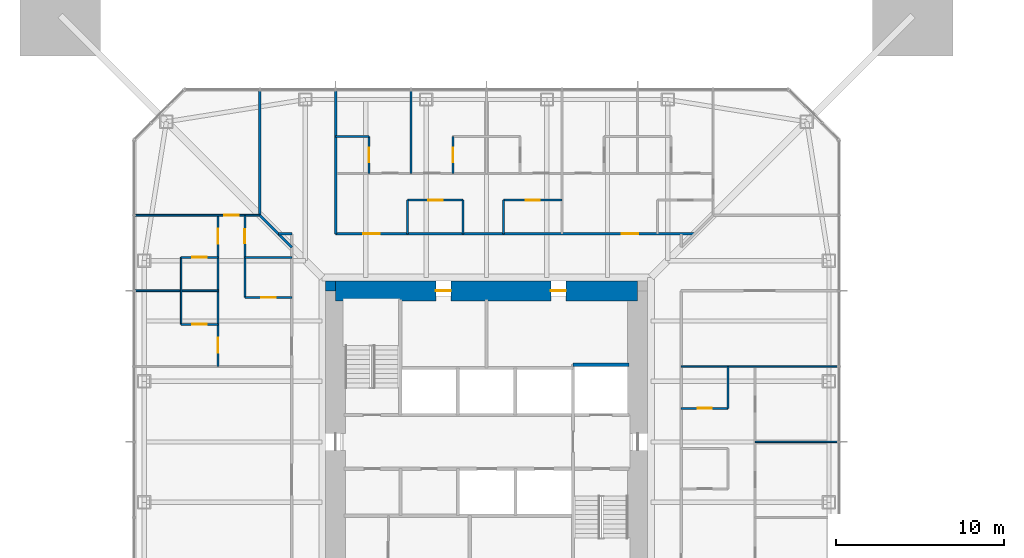
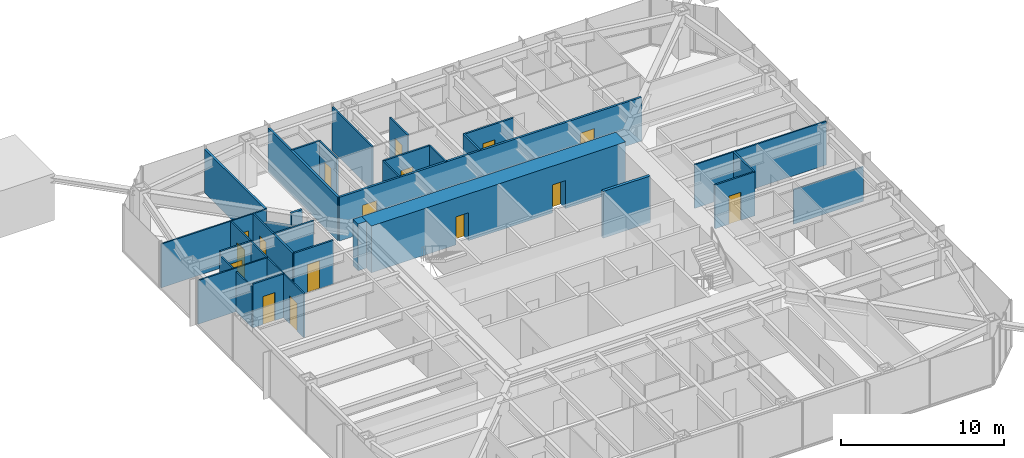
# One storey, part 15 of 25: 30 walls, 16 doors, 16 openings.
"""IFC4 building model written with IfcOpenShell, lengths in metres."""

from ifc_helpers import new_model, si_unit, direction, frame, frame_2d, origin, place, context, subcontext, project, spatial, rectangle, extrude, material, layer, layer_set, type_object, element, fill, save


model = new_model("IFC4")

# Units and contexts
model_context = context("Model", 3, precision=1e-05, world=origin(), true_north=direction((0.0, 1.0)))
body_context = subcontext(model_context, "Body", "Model", "MODEL_VIEW")
ifc_project = project(units=[si_unit("LENGTHUNIT", "METRE"), si_unit("AREAUNIT", "SQUARE_METRE"), si_unit("VOLUMEUNIT", "CUBIC_METRE"), si_unit("PLANEANGLEUNIT", "RADIAN"), si_unit("MASSUNIT", "GRAM", prefix="KILO")], contexts=[model_context])

# Site, building, storey
site_placement = place(None, origin())
site = spatial("IfcSite", under=ifc_project, at=site_placement, CompositionType="ELEMENT")
building_placement = place(site_placement, origin())
building = spatial("IfcBuilding", under=site, at=building_placement, Name="Iwan Alto Co-Living Towers", CompositionType="ELEMENT")
storey_placement = place(building_placement, frame((0.0, 0.0, 119.0)))
storey = spatial("IfcBuildingStorey", under=building, at=storey_placement, Name="L32", CompositionType="ELEMENT", Elevation=119.0)

# Wall
ifc_material_1 = material(Name="Gypsum board")
ifc_layer_1 = layer(ifc_material_1, 0.02490234375, Name="Board", Category="Finish")
ifc_material_2 = material(Name="Steel ASTM A1003 ST33H cold-formed studs", Category="steel")
ifc_layer_2 = layer(ifc_material_2, 0.10009765625, Name="Studs", Category="Framing")
ifc_layer_3 = layer(ifc_material_1, 0.02490234375, Name="Board", Category="Finish")
ifc_layer_set_1 = layer_set([ifc_layer_1, ifc_layer_2, ifc_layer_3], Name="CORRIDOR WALL 150")
wall_type_1 = type_object("IfcWallType", Name="CORRIDOR WALL 150", PredefinedType="PARTITIONING", material=ifc_layer_set_1)
wall_1_placement = place(storey_placement, frame((-12.39990234375, 12.39990234375, 0.0), z_axis=(0.0, 0.0, 1.0), x_axis=(1.0, 0.0, 0.0)))
element("IfcWall", 1, at=wall_1_placement, inside=storey, type_object=wall_type_1, Name="Partition L32", PredefinedType="PARTITIONING", context=body_context, shape_type="SweptSolid", body=[
    extrude(rectangle(XDim=0.7998046875, YDim=0.14990234375, at=frame_2d((0.39990234375, 0.0))), origin(), (0.0, 0.0, 1.0), 3.27001953125),
])

# Wall, openings, doors
wall_2_placement = place(storey_placement, frame((-9.0, 12.39990234375, 0.0), z_axis=(0.0, 0.0, 1.0), x_axis=(1.0, 0.0, 0.0)))
wall_2 = element("IfcWall", 2, at=wall_2_placement, inside=storey, type_object=wall_type_1, Name="Partition L32", PredefinedType="PARTITIONING", context=body_context, shape_type="SweptSolid", body=[
    extrude(rectangle(XDim=21.39990234375, YDim=0.14990234375, at=frame_2d((10.699951171875, 0.0))), origin(), (0.0, 0.0, 1.0), 3.27001953125),
])
opening_1_placement = place(wall_2_placement, frame((17.050048828125, 0.0, 0.0)))
opening_1 = element("IfcOpeningElement", 3, at=opening_1_placement, cuts=wall_2, Name="Opening D3", PredefinedType="OPENING", context=body_context, shape_type="SweptSolid", body=[
    extrude(rectangle(XDim=1.0, YDim=2.10009765625, at=frame_2d((0.5, 1.050048828125))), frame((0.0, 0.0849609375, 0.0), z_axis=(0.0, -1.0, 0.0), x_axis=(1.0, 0.0, 0.0)), (0.0, 0.0, 1.0), 0.169921875),
])
opening_2_placement = place(wall_2_placement, frame((1.64990234375, 0.0, 0.0)))
opening_2 = element("IfcOpeningElement", 4, at=opening_2_placement, cuts=wall_2, Name="Opening D3", PredefinedType="OPENING", context=body_context, shape_type="SweptSolid", body=[
    extrude(rectangle(XDim=1.0, YDim=2.10009765625, at=frame_2d((0.5, 1.050048828125))), frame((0.0, 0.0849609375, 0.0), z_axis=(0.0, -1.0, 0.0), x_axis=(1.0, 0.0, 0.0)), (0.0, 0.0, 1.0), 0.169921875),
])
ifc_material_3 = material(Name="Steel frame with timber leaf", Category="steel")
door_type_1 = type_object("IfcDoorType", Name="FLAT ENTRANCE DOOR FD30S 1000X2100", OperationType="SINGLE_SWING_LEFT", PredefinedType="DOOR", material=ifc_material_3)
door_1_placement = place(opening_1_placement, origin())
door_1 = element("IfcDoor", 5, at=door_1_placement, inside=storey, type_object=door_type_1, Name="Cluster lounge door L32", OperationType="SINGLE_SWING_RIGHT", OverallHeight=2.10009765625, OverallWidth=1.0, PredefinedType="DOOR", context=body_context, shape_type="SweptSolid", body=[
    extrude(rectangle(XDim=1.0, YDim=2.10009765625, at=frame_2d((0.5, 1.050048828125))), frame((0.0, 0.02490234375, 0.0), z_axis=(0.0, -1.0, 0.0), x_axis=(1.0, 0.0, 0.0)), (0.0, 0.0, 1.0), 0.050048828125),
])
fill(opening_1, door_1)
door_2_placement = place(opening_2_placement, origin())
door_2 = element("IfcDoor", 6, at=door_2_placement, inside=storey, type_object=door_type_1, Name="Cluster lounge and shared kitchen door L32", OperationType="SINGLE_SWING_LEFT", OverallHeight=2.10009765625, OverallWidth=1.0, PredefinedType="DOOR", context=body_context, shape_type="SweptSolid", body=[
    extrude(rectangle(XDim=1.0, YDim=2.10009765625, at=frame_2d((0.5, 1.050048828125))), frame((0.0, 0.02490234375, 0.0), z_axis=(0.0, -1.0, 0.0), x_axis=(1.0, 0.0, 0.0)), (0.0, 0.0, 1.0), 0.050048828125),
])
fill(opening_2, door_2)

# Walls
wall_3_placement = place(storey_placement, frame((-9.0, 12.39990234375, 0.0), z_axis=(0.0, 0.0, 1.0), x_axis=(0.0, 1.0, 0.0)))
element("IfcWall", 7, at=wall_3_placement, inside=storey, type_object=wall_type_1, Name="Partition L32", PredefinedType="PARTITIONING", context=body_context, shape_type="SweptSolid", body=[
    extrude(rectangle(XDim=8.5400390625, YDim=0.14990234375, at=frame_2d((4.27001953125, 0.0))), origin(), (0.0, 0.0, 1.0), 3.27001953125),
])
wall_4_placement = place(storey_placement, frame((-13.5, 13.5, 0.0), z_axis=(0.0, 0.0, 1.0), x_axis=(0.0, 1.0, 0.0)))
element("IfcWall", 8, at=wall_4_placement, inside=storey, type_object=wall_type_1, Name="Partition L32", PredefinedType="PARTITIONING", context=body_context, shape_type="SweptSolid", body=[
    extrude(rectangle(XDim=7.43994140625, YDim=0.14990234375, at=frame_2d((3.719970703125, 0.0))), origin(), (0.0, 0.0, 1.0), 3.27001953125),
])
wall_5_placement = place(storey_placement, frame((-11.60009765625, 11.60009765625, 0.0), z_axis=(0.0, 0.0, 1.0), x_axis=(-0.707106781187, 0.707106781187, 0.0)))
element("IfcWall", 9, at=wall_5_placement, inside=storey, type_object=wall_type_1, Name="Partition L32", PredefinedType="PARTITIONING", context=body_context, shape_type="SweptSolid", body=[
    extrude(rectangle(XDim=2.686767578125, YDim=0.14990234375, at=frame_2d((1.34326171875, 0.0))), origin(), (0.0, 0.0, 1.0), 2.343017578125),
])
ifc_layer_4 = layer(ifc_material_1, 0.012451171875, Name="Board", Category="Finish")
ifc_layer_5 = layer(ifc_material_2, 0.074951171875, Name="Studs", Category="Framing")
ifc_layer_6 = layer(ifc_material_1, 0.012451171875, Name="Board", Category="Finish")
ifc_layer_set_2 = layer_set([ifc_layer_4, ifc_layer_5, ifc_layer_6], Name="PARTITION 100")
wall_type_2 = type_object("IfcWallType", Name="PARTITION 100", PredefinedType="PARTITIONING", material=ifc_layer_set_2)
wall_6_placement = place(storey_placement, frame((16.0, 0.0, 0.0), z_axis=(0.0, 0.0, 1.0), x_axis=(1.0, 0.0, 0.0)))
element("IfcWall", 10, at=wall_6_placement, inside=storey, type_object=wall_type_2, Name="Partition L32", PredefinedType="PARTITIONING", context=body_context, shape_type="SweptSolid", body=[
    extrude(rectangle(XDim=4.93994140625, YDim=0.10009765625, at=frame_2d((2.469970703125, 0.0))), origin(), (0.0, 0.0, 1.0), 2.586669921875),
])
wall_7_placement = place(storey_placement, frame((11.60009765625, 4.5, 0.0), z_axis=(0.0, 0.0, 1.0), x_axis=(1.0, 0.0, 0.0)))
element("IfcWall", 11, at=wall_7_placement, inside=storey, type_object=wall_type_2, Name="Partition L32", PredefinedType="PARTITIONING", context=body_context, shape_type="SweptSolid", body=[
    extrude(rectangle(XDim=9.33984375, YDim=0.10009765625, at=frame_2d((4.669921875, 0.0))), origin(), (0.0, 0.0, 1.0), 3.27001953125),
])
wall_8_placement = place(storey_placement, frame((-20.93994140625, 9.0, 0.0), z_axis=(0.0, 0.0, 1.0), x_axis=(1.0, 0.0, 0.0)))
element("IfcWall", 12, at=wall_8_placement, inside=storey, type_object=wall_type_2, Name="Partition L32", PredefinedType="PARTITIONING", context=body_context, shape_type="SweptSolid", body=[
    extrude(rectangle(XDim=4.93994140625, YDim=0.10009765625, at=frame_2d((2.469970703125, 0.0))), origin(), (0.0, 0.0, 1.0), 3.27001953125),
])

# Wall, opening, door
wall_9_placement = place(storey_placement, frame((-20.93994140625, 13.5, 0.0), z_axis=(0.0, 0.0, 1.0), x_axis=(1.0, 0.0, 0.0)))
wall_9 = element("IfcWall", 13, at=wall_9_placement, inside=storey, type_object=wall_type_2, Name="Partition L32", PredefinedType="PARTITIONING", context=body_context, shape_type="SweptSolid", body=[
    extrude(rectangle(XDim=7.43994140625, YDim=0.10009765625, at=frame_2d((3.719970703125, 0.0))), origin(), (0.0, 0.0, 1.0), 3.27001953125),
])
opening_3_placement = place(wall_9_placement, frame((5.31494140625, 0.0, 0.0)))
opening_3 = element("IfcOpeningElement", 14, at=opening_3_placement, cuts=wall_9, Name="Opening D2", PredefinedType="OPENING", context=body_context, shape_type="SweptSolid", body=[
    extrude(rectangle(XDim=0.85009765625, YDim=2.10009765625, at=frame_2d((0.425048828125, 1.050048828125))), frame((0.0, 0.06005859375, 0.0), z_axis=(0.0, -1.0, 0.0), x_axis=(1.0, 0.0, 0.0)), (0.0, 0.0, 1.0), 0.1201171875),
])
ifc_material_4 = material(Name="Timber leaf in steel frame", Category="steel")
door_type_2 = type_object("IfcDoorType", Name="ROOM DOOR 850X2100", OperationType="SINGLE_SWING_LEFT", PredefinedType="DOOR", material=ifc_material_4)
door_3_placement = place(opening_3_placement, origin())
door_3 = element("IfcDoor", 15, at=door_3_placement, inside=storey, type_object=door_type_2, Name="Shared kitchen and lounge door L32", OperationType="SINGLE_SWING_RIGHT", OverallHeight=2.10009765625, OverallWidth=0.85009765625, PredefinedType="DOOR", context=body_context, shape_type="SweptSolid", body=[
    extrude(rectangle(XDim=0.85009765625, YDim=2.10009765625, at=frame_2d((0.425048828125, 1.050048828125))), frame((0.0, 0.02490234375, 0.0), z_axis=(0.0, -1.0, 0.0), x_axis=(1.0, 0.0, 0.0)), (0.0, 0.0, 1.0), 0.050048828125),
])
fill(opening_3, door_3)

# Wall
wall_10_placement = place(storey_placement, frame((-4.5, 16.0, 0.0), z_axis=(0.0, 0.0, 1.0), x_axis=(0.0, 1.0, 0.0)))
element("IfcWall", 16, at=wall_10_placement, inside=storey, type_object=wall_type_2, Name="Partition L32", PredefinedType="PARTITIONING", context=body_context, shape_type="SweptSolid", body=[
    extrude(rectangle(XDim=4.93994140625, YDim=0.10009765625, at=frame_2d((2.469970703125, 0.0))), origin(), (0.0, 0.0, 1.0), 3.27001953125),
])

# Wall, openings, doors
wall_11_placement = place(storey_placement, frame((-16.0, 4.5, 0.0), z_axis=(0.0, 0.0, 1.0), x_axis=(0.0, 1.0, 0.0)))
wall_11 = element("IfcWall", 17, at=wall_11_placement, inside=storey, type_object=wall_type_2, Name="Partition L32", PredefinedType="PARTITIONING", context=body_context, shape_type="SweptSolid", body=[
    extrude(rectangle(XDim=9.0, YDim=0.10009765625, at=frame_2d((4.5, 0.0))), origin(), (0.0, 0.0, 1.0), 3.27001953125),
])
opening_4_placement = place(wall_11_placement, frame((7.300048828125, 0.0, 0.0)))
opening_4 = element("IfcOpeningElement", 18, at=opening_4_placement, cuts=wall_11, Name="Opening D1", PredefinedType="OPENING", context=body_context, shape_type="SweptSolid", body=[
    extrude(rectangle(XDim=0.89990234375, YDim=2.10009765625, at=frame_2d((0.449951171875, 1.050048828125))), frame((0.0, 0.06005859375, 0.0), z_axis=(0.0, -1.0, 0.0), x_axis=(1.0, 0.0, 0.0)), (0.0, 0.0, 1.0), 0.1201171875),
])
opening_5_placement = place(wall_11_placement, frame((0.800048828125, 0.0, 0.0)))
opening_5 = element("IfcOpeningElement", 19, at=opening_5_placement, cuts=wall_11, Name="Opening D1", PredefinedType="OPENING", context=body_context, shape_type="SweptSolid", body=[
    extrude(rectangle(XDim=0.89990234375, YDim=2.10009765625, at=frame_2d((0.449951171875, 1.050048828125))), frame((0.0, 0.06005859375, 0.0), z_axis=(0.0, -1.0, 0.0), x_axis=(1.0, 0.0, 0.0)), (0.0, 0.0, 1.0), 0.1201171875),
])
ifc_material_5 = material(Name="Timber leaf in steel frame", Category="steel")
door_type_3 = type_object("IfcDoorType", Name="BEDROOM DOOR 900X2100", OperationType="SINGLE_SWING_LEFT", PredefinedType="DOOR", material=ifc_material_5)
door_4_placement = place(opening_4_placement, frame((0.89990234375, 0.0, 0.0), z_axis=(0.0, 0.0, 1.0), x_axis=(-1.0, 0.0, 0.0)))
door_4 = element("IfcDoor", 20, at=door_4_placement, inside=storey, type_object=door_type_3, Name="Study bedroom door L32", OperationType="SINGLE_SWING_LEFT", OverallHeight=2.10009765625, OverallWidth=0.89990234375, PredefinedType="DOOR", context=body_context, shape_type="SweptSolid", body=[
    extrude(rectangle(XDim=0.89990234375, YDim=2.10009765625, at=frame_2d((0.449951171875, 1.050048828125))), frame((0.0, 0.02490234375, 0.0), z_axis=(0.0, -1.0, 0.0), x_axis=(1.0, 0.0, 0.0)), (0.0, 0.0, 1.0), 0.050048828125),
])
fill(opening_4, door_4)
door_5_placement = place(opening_5_placement, frame((0.89990234375, 0.0, 0.0), z_axis=(0.0, 0.0, 1.0), x_axis=(-1.0, 0.0, 0.0)))
door_5 = element("IfcDoor", 21, at=door_5_placement, inside=storey, type_object=door_type_3, Name="Study bedroom door L32", OperationType="SINGLE_SWING_RIGHT", OverallHeight=2.10009765625, OverallWidth=0.89990234375, PredefinedType="DOOR", context=body_context, shape_type="SweptSolid", body=[
    extrude(rectangle(XDim=0.89990234375, YDim=2.10009765625, at=frame_2d((0.449951171875, 1.050048828125))), frame((0.0, 0.02490234375, 0.0), z_axis=(0.0, -1.0, 0.0), x_axis=(1.0, 0.0, 0.0)), (0.0, 0.0, 1.0), 0.050048828125),
])
fill(opening_5, door_5)

# Walls
wall_12_placement = place(storey_placement, frame((-18.199951171875, 7.0, 0.0), z_axis=(0.0, 0.0, 1.0), x_axis=(0.0, 1.0, 0.0)))
element("IfcWall", 22, at=wall_12_placement, inside=storey, type_object=wall_type_2, Name="Partition L32", PredefinedType="PARTITIONING", context=body_context, shape_type="SweptSolid", body=[
    extrude(rectangle(XDim=4.0, YDim=0.10009765625, at=frame_2d((2.0, 0.0))), origin(), (0.0, 0.0, 1.0), 3.0),
])
ifc_material_6 = material(Name="Concrete f'c 70 MPa", Category="concrete")
ifc_layer_7 = layer(ifc_material_6, 0.199951171875)
ifc_layer_set_3 = layer_set([ifc_layer_7], Name="SHAFT WALL 200")
wall_type_3 = type_object("IfcWallType", Name="SHAFT WALL 200", PredefinedType="SOLIDWALL", material=ifc_layer_set_3)
wall_13_placement = place(storey_placement, frame((5.14990234375, 4.60009765625, 0.0), z_axis=(0.0, 0.0, 1.0), x_axis=(1.0, 0.0, 0.0)))
element("IfcWall", 23, at=wall_13_placement, inside=storey, type_object=wall_type_3, Name="Shaft wall L32", PredefinedType="SOLIDWALL", context=body_context, shape_type="SweptSolid", body=[
    extrude(rectangle(XDim=3.340087890625, YDim=0.199951171875, at=frame_2d((1.669921875, 0.0))), origin(), (0.0, 0.0, 1.0), 3.5),
])
ifc_material_7 = material(Name="Concrete f'c 70 MPa", Category="concrete")
ifc_layer_8 = layer(ifc_material_7, 0.60009765625)
ifc_layer_set_4 = layer_set([ifc_layer_8], Name="T1 CORE CORNER FILL 600")
wall_type_4 = type_object("IfcWallType", Name="T1 CORE CORNER FILL 600", PredefinedType="SOLIDWALL", material=ifc_layer_set_4)
wall_14_placement = place(storey_placement, frame((-9.60009765625, 9.300048828125, 0.0), z_axis=(0.0, 0.0, 1.0), x_axis=(1.0, 0.0, 0.0)))
element("IfcWall", 24, at=wall_14_placement, inside=storey, type_object=wall_type_4, Name="T1 core corner NW L32", PredefinedType="SOLIDWALL", context=body_context, shape_type="SweptSolid", body=[
    extrude(rectangle(XDim=0.60009765625, YDim=0.60009765625, at=frame_2d((0.300048828125, 0.0))), origin(), (0.0, 0.0, 1.0), 3.5),
])

# Wall, openings, doors
ifc_material_8 = material(Name="Concrete f'c 70 MPa", Category="concrete")
ifc_layer_9 = layer(ifc_material_8, 1.199951171875)
ifc_layer_set_5 = layer_set([ifc_layer_9], Name="T1 CORE WALL 1200")
wall_type_5 = type_object("IfcWallType", Name="T1 CORE WALL 1200", PredefinedType="SHEAR", material=ifc_layer_set_5)
wall_15_placement = place(storey_placement, frame((9.0, 9.0, 0.0), z_axis=(0.0, 0.0, 1.0), x_axis=(-1.0, 0.0, 0.0)))
wall_15 = element("IfcWall", 25, at=wall_15_placement, inside=storey, type_object=wall_type_5, Name="T1 core wall N L32", PredefinedType="SHEAR", context=body_context, shape_type="SweptSolid", body=[
    extrude(rectangle(XDim=18.0, YDim=1.199951171875, at=frame_2d((9.0, 0.0))), origin(), (0.0, 0.0, 1.0), 3.5),
])
opening_6_placement = place(wall_15_placement, frame((11.125, 0.0, 0.0)))
opening_6 = element("IfcOpeningElement", 26, at=opening_6_placement, cuts=wall_15, Name="Opening D8", PredefinedType="OPENING", context=body_context, shape_type="SweptSolid", body=[
    extrude(rectangle(XDim=0.89990234375, YDim=2.10009765625, at=frame_2d((0.449951171875, 1.050048828125))), frame((0.0, 0.60986328125, 0.0), z_axis=(0.0, -1.0, 0.0), x_axis=(1.0, 0.0, 0.0)), (0.0, 0.0, 1.0), 1.219970703125),
])
opening_7_placement = place(wall_15_placement, frame((4.27490234375, 0.0, 0.0)))
opening_7 = element("IfcOpeningElement", 27, at=opening_7_placement, cuts=wall_15, Name="Opening D8", PredefinedType="OPENING", context=body_context, shape_type="SweptSolid", body=[
    extrude(rectangle(XDim=0.89990234375, YDim=2.10009765625, at=frame_2d((0.449951171875, 1.050048828125))), frame((0.0, 0.60986328125, 0.0), z_axis=(0.0, -1.0, 0.0), x_axis=(1.0, 0.0, 0.0)), (0.0, 0.0, 1.0), 1.219970703125),
])
ifc_material_9 = material(Name="Steel frame with timber leaf", Category="steel")
door_type_4 = type_object("IfcDoorType", Name="RISER DOOR FD120 900X2100", OperationType="SINGLE_SWING_LEFT", PredefinedType="DOOR", material=ifc_material_9)
door_6_placement = place(opening_6_placement, origin())
door_6 = element("IfcDoor", 28, at=door_6_placement, inside=storey, type_object=door_type_4, Name="Electrical riser core door L32", OperationType="SINGLE_SWING_RIGHT", OverallHeight=2.10009765625, OverallWidth=0.89990234375, PredefinedType="DOOR", context=body_context, shape_type="SweptSolid", body=[
    extrude(rectangle(XDim=0.89990234375, YDim=2.10009765625, at=frame_2d((0.449951171875, 1.050048828125))), frame((0.0, 0.02490234375, 0.0), z_axis=(0.0, -1.0, 0.0), x_axis=(1.0, 0.0, 0.0)), (0.0, 0.0, 1.0), 0.050048828125),
])
fill(opening_6, door_6)
door_7_placement = place(opening_7_placement, origin())
door_7 = element("IfcDoor", 29, at=door_7_placement, inside=storey, type_object=door_type_4, Name="Water and drainage riser core door L32", OperationType="SINGLE_SWING_RIGHT", OverallHeight=2.10009765625, OverallWidth=0.89990234375, PredefinedType="DOOR", context=body_context, shape_type="SweptSolid", body=[
    extrude(rectangle(XDim=0.89990234375, YDim=2.10009765625, at=frame_2d((0.449951171875, 1.050048828125))), frame((0.0, 0.02490234375, 0.0), z_axis=(0.0, -1.0, 0.0), x_axis=(1.0, 0.0, 0.0)), (0.0, 0.0, 1.0), 0.050048828125),
])
fill(opening_7, door_7)

# Wall, opening, door
ifc_material_10 = material(Name="Cement board")
ifc_layer_10 = layer(ifc_material_10, 0.012451171875, Name="Board", Category="Finish")
ifc_layer_11 = layer(ifc_material_2, 0.094970703125, Name="Studs", Category="Framing")
ifc_layer_12 = layer(ifc_material_10, 0.012451171875, Name="Board", Category="Finish")
ifc_layer_set_6 = layer_set([ifc_layer_10, ifc_layer_11, ifc_layer_12], Name="WET AREA PARTITION 120")
wall_type_6 = type_object("IfcWallType", Name="WET AREA PARTITION 120", PredefinedType="PARTITIONING", material=ifc_layer_set_6)
wall_16_placement = place(storey_placement, frame((11.60009765625, 2.0, 0.0), z_axis=(0.0, 0.0, 1.0), x_axis=(1.0, 0.0, 0.0)))
wall_16 = element("IfcWall", 30, at=wall_16_placement, inside=storey, type_object=wall_type_6, Name="Partition L32", PredefinedType="PARTITIONING", context=body_context, shape_type="SweptSolid", body=[
    extrude(rectangle(XDim=2.7998046875, YDim=0.1201171875, at=frame_2d((1.39990234375, 0.0))), origin(), (0.0, 0.0, 1.0), 3.27001953125),
])
opening_8_placement = place(wall_16_placement, frame((0.97509765625, 0.0, 0.0)))
opening_8 = element("IfcOpeningElement", 31, at=opening_8_placement, cuts=wall_16, Name="Opening D2", PredefinedType="OPENING", context=body_context, shape_type="SweptSolid", body=[
    extrude(rectangle(XDim=0.85009765625, YDim=2.10009765625, at=frame_2d((0.425048828125, 1.050048828125))), frame((0.0, 0.070068359375, 0.0), z_axis=(0.0, -1.0, 0.0), x_axis=(1.0, 0.0, 0.0)), (0.0, 0.0, 1.0), 0.14013671875),
])
door_8_placement = place(opening_8_placement, frame((0.85009765625, 0.0, 0.0), z_axis=(0.0, 0.0, 1.0), x_axis=(-1.0, 0.0, 0.0)))
door_8 = element("IfcDoor", 32, at=door_8_placement, inside=storey, type_object=door_type_2, Name="Laundry door L32", OperationType="SINGLE_SWING_RIGHT", OverallHeight=2.10009765625, OverallWidth=0.85009765625, PredefinedType="DOOR", context=body_context, shape_type="SweptSolid", body=[
    extrude(rectangle(XDim=0.85009765625, YDim=2.10009765625, at=frame_2d((0.425048828125, 1.050048828125))), frame((0.0, 0.02490234375, 0.0), z_axis=(0.0, -1.0, 0.0), x_axis=(1.0, 0.0, 0.0)), (0.0, 0.0, 1.0), 0.050048828125),
])
fill(opening_8, door_8)

wall_17_placement = place(storey_placement, frame((-18.199951171875, 7.0, 0.0), z_axis=(0.0, 0.0, 1.0), x_axis=(1.0, 0.0, 0.0)))
wall_17 = element("IfcWall", 33, at=wall_17_placement, inside=storey, type_object=wall_type_6, Name="Partition L32", PredefinedType="PARTITIONING", context=body_context, shape_type="SweptSolid", body=[
    extrude(rectangle(XDim=2.199951171875, YDim=0.1201171875, at=frame_2d((1.10009765625, 0.0))), origin(), (0.0, 0.0, 1.0), 3.27001953125),
])
opening_9_placement = place(wall_17_placement, frame((0.675048828125, 0.0, 0.0)))
opening_9 = element("IfcOpeningElement", 34, at=opening_9_placement, cuts=wall_17, Name="Opening D2", PredefinedType="OPENING", context=body_context, shape_type="SweptSolid", body=[
    extrude(rectangle(XDim=0.85009765625, YDim=2.10009765625, at=frame_2d((0.425048828125, 1.050048828125))), frame((0.0, 0.070068359375, 0.0), z_axis=(0.0, -1.0, 0.0), x_axis=(1.0, 0.0, 0.0)), (0.0, 0.0, 1.0), 0.14013671875),
])
door_9_placement = place(opening_9_placement, frame((0.85009765625, 0.0, 0.0), z_axis=(0.0, 0.0, 1.0), x_axis=(-1.0, 0.0, 0.0)))
door_9 = element("IfcDoor", 35, at=door_9_placement, inside=storey, type_object=door_type_2, Name="En-suite shower room door L32", OperationType="SINGLE_SWING_LEFT", OverallHeight=2.10009765625, OverallWidth=0.85009765625, PredefinedType="DOOR", context=body_context, shape_type="SweptSolid", body=[
    extrude(rectangle(XDim=0.85009765625, YDim=2.10009765625, at=frame_2d((0.425048828125, 1.050048828125))), frame((0.0, 0.02490234375, 0.0), z_axis=(0.0, -1.0, 0.0), x_axis=(1.0, 0.0, 0.0)), (0.0, 0.0, 1.0), 0.050048828125),
])
fill(opening_9, door_9)

wall_18_placement = place(storey_placement, frame((-14.39990234375, 8.60009765625, 0.0), z_axis=(0.0, 0.0, 1.0), x_axis=(1.0, 0.0, 0.0)))
wall_18 = element("IfcWall", 36, at=wall_18_placement, inside=storey, type_object=wall_type_6, Name="Partition L32", PredefinedType="PARTITIONING", context=body_context, shape_type="SweptSolid", body=[
    extrude(rectangle(XDim=2.7998046875, YDim=0.1201171875, at=frame_2d((1.39990234375, 0.0))), origin(), (0.0, 0.0, 1.0), 3.27001953125),
])
opening_10_placement = place(wall_18_placement, frame((0.97509765625, 0.0, 0.0)))
opening_10 = element("IfcOpeningElement", 37, at=opening_10_placement, cuts=wall_18, Name="Opening D2", PredefinedType="OPENING", context=body_context, shape_type="SweptSolid", body=[
    extrude(rectangle(XDim=0.85009765625, YDim=2.10009765625, at=frame_2d((0.425048828125, 1.050048828125))), frame((0.0, 0.070068359375, 0.0), z_axis=(0.0, -1.0, 0.0), x_axis=(1.0, 0.0, 0.0)), (0.0, 0.0, 1.0), 0.14013671875),
])
door_10_placement = place(opening_10_placement, frame((0.85009765625, 0.0, 0.0), z_axis=(0.0, 0.0, 1.0), x_axis=(-1.0, 0.0, 0.0)))
door_10 = element("IfcDoor", 38, at=door_10_placement, inside=storey, type_object=door_type_2, Name="Accessible bathroom door L32", OperationType="SINGLE_SWING_LEFT", OverallHeight=2.10009765625, OverallWidth=0.85009765625, PredefinedType="DOOR", context=body_context, shape_type="SweptSolid", body=[
    extrude(rectangle(XDim=0.85009765625, YDim=2.10009765625, at=frame_2d((0.425048828125, 1.050048828125))), frame((0.0, 0.02490234375, 0.0), z_axis=(0.0, -1.0, 0.0), x_axis=(1.0, 0.0, 0.0)), (0.0, 0.0, 1.0), 0.050048828125),
])
fill(opening_10, door_10)

wall_19_placement = place(storey_placement, frame((-18.199951171875, 11.0, 0.0), z_axis=(0.0, 0.0, 1.0), x_axis=(1.0, 0.0, 0.0)))
wall_19 = element("IfcWall", 39, at=wall_19_placement, inside=storey, type_object=wall_type_6, Name="Partition L32", PredefinedType="PARTITIONING", context=body_context, shape_type="SweptSolid", body=[
    extrude(rectangle(XDim=2.199951171875, YDim=0.1201171875, at=frame_2d((1.10009765625, 0.0))), origin(), (0.0, 0.0, 1.0), 3.27001953125),
])
opening_11_placement = place(wall_19_placement, frame((0.675048828125, 0.0, 0.0)))
opening_11 = element("IfcOpeningElement", 40, at=opening_11_placement, cuts=wall_19, Name="Opening D2", PredefinedType="OPENING", context=body_context, shape_type="SweptSolid", body=[
    extrude(rectangle(XDim=0.85009765625, YDim=2.10009765625, at=frame_2d((0.425048828125, 1.050048828125))), frame((0.0, 0.070068359375, 0.0), z_axis=(0.0, -1.0, 0.0), x_axis=(1.0, 0.0, 0.0)), (0.0, 0.0, 1.0), 0.14013671875),
])
door_11_placement = place(opening_11_placement, origin())
door_11 = element("IfcDoor", 41, at=door_11_placement, inside=storey, type_object=door_type_2, Name="En-suite shower room door L32", OperationType="SINGLE_SWING_RIGHT", OverallHeight=2.10009765625, OverallWidth=0.85009765625, PredefinedType="DOOR", context=body_context, shape_type="SweptSolid", body=[
    extrude(rectangle(XDim=0.85009765625, YDim=2.10009765625, at=frame_2d((0.425048828125, 1.050048828125))), frame((0.0, 0.02490234375, 0.0), z_axis=(0.0, -1.0, 0.0), x_axis=(1.0, 0.0, 0.0)), (0.0, 0.0, 1.0), 0.050048828125),
])
fill(opening_11, door_11)

# Wall
wall_20_placement = place(storey_placement, frame((-14.39990234375, 11.0, 0.0), z_axis=(0.0, 0.0, 1.0), x_axis=(1.0, 0.0, 0.0)))
element("IfcWall", 42, at=wall_20_placement, inside=storey, type_object=wall_type_6, Name="Partition L32", PredefinedType="PARTITIONING", context=body_context, shape_type="SweptSolid", body=[
    extrude(rectangle(XDim=2.7998046875, YDim=0.1201171875, at=frame_2d((1.39990234375, 0.0))), origin(), (0.0, 0.0, 1.0), 3.27001953125),
])

# Wall, opening, door
wall_21_placement = place(storey_placement, frame((-4.699951171875, 14.39990234375, 0.0), z_axis=(0.0, 0.0, 1.0), x_axis=(1.0, 0.0, 0.0)))
wall_21 = element("IfcWall", 43, at=wall_21_placement, inside=storey, type_object=wall_type_6, Name="Partition L32", PredefinedType="PARTITIONING", context=body_context, shape_type="SweptSolid", body=[
    extrude(rectangle(XDim=3.300048828125, YDim=0.1201171875, at=frame_2d((1.64990234375, 0.0))), origin(), (0.0, 0.0, 1.0), 3.27001953125),
])
opening_12_placement = place(wall_21_placement, frame((1.22509765625, 0.0, 0.0)))
opening_12 = element("IfcOpeningElement", 44, at=opening_12_placement, cuts=wall_21, Name="Opening D2", PredefinedType="OPENING", context=body_context, shape_type="SweptSolid", body=[
    extrude(rectangle(XDim=0.85009765625, YDim=2.10009765625, at=frame_2d((0.425048828125, 1.050048828125))), frame((0.0, 0.070068359375, 0.0), z_axis=(0.0, -1.0, 0.0), x_axis=(1.0, 0.0, 0.0)), (0.0, 0.0, 1.0), 0.14013671875),
])
door_12_placement = place(opening_12_placement, origin())
door_12 = element("IfcDoor", 45, at=door_12_placement, inside=storey, type_object=door_type_2, Name="Accessible bathroom door L32", OperationType="SINGLE_SWING_LEFT", OverallHeight=2.10009765625, OverallWidth=0.85009765625, PredefinedType="DOOR", context=body_context, shape_type="SweptSolid", body=[
    extrude(rectangle(XDim=0.85009765625, YDim=2.10009765625, at=frame_2d((0.425048828125, 1.050048828125))), frame((0.0, 0.02490234375, 0.0), z_axis=(0.0, -1.0, 0.0), x_axis=(1.0, 0.0, 0.0)), (0.0, 0.0, 1.0), 0.050048828125),
])
fill(opening_12, door_12)

wall_22_placement = place(storey_placement, frame((1.0, 14.39990234375, 0.0), z_axis=(0.0, 0.0, 1.0), x_axis=(1.0, 0.0, 0.0)))
wall_22 = element("IfcWall", 46, at=wall_22_placement, inside=storey, type_object=wall_type_6, Name="Partition L32", PredefinedType="PARTITIONING", context=body_context, shape_type="SweptSolid", body=[
    extrude(rectangle(XDim=3.5, YDim=0.1201171875, at=frame_2d((1.75, 0.0))), origin(), (0.0, 0.0, 1.0), 3.27001953125),
])
opening_13_placement = place(wall_22_placement, frame((1.324951171875, 0.0, 0.0)))
opening_13 = element("IfcOpeningElement", 47, at=opening_13_placement, cuts=wall_22, Name="Opening D2", PredefinedType="OPENING", context=body_context, shape_type="SweptSolid", body=[
    extrude(rectangle(XDim=0.85009765625, YDim=2.10009765625, at=frame_2d((0.425048828125, 1.050048828125))), frame((0.0, 0.070068359375, 0.0), z_axis=(0.0, -1.0, 0.0), x_axis=(1.0, 0.0, 0.0)), (0.0, 0.0, 1.0), 0.14013671875),
])
door_13_placement = place(opening_13_placement, origin())
door_13 = element("IfcDoor", 48, at=door_13_placement, inside=storey, type_object=door_type_2, Name="Laundry door L32", OperationType="SINGLE_SWING_RIGHT", OverallHeight=2.10009765625, OverallWidth=0.85009765625, PredefinedType="DOOR", context=body_context, shape_type="SweptSolid", body=[
    extrude(rectangle(XDim=0.85009765625, YDim=2.10009765625, at=frame_2d((0.425048828125, 1.050048828125))), frame((0.0, 0.02490234375, 0.0), z_axis=(0.0, -1.0, 0.0), x_axis=(1.0, 0.0, 0.0)), (0.0, 0.0, 1.0), 0.050048828125),
])
fill(opening_13, door_13)

# Walls
wall_23_placement = place(storey_placement, frame((-9.0, 18.199951171875, 0.0), z_axis=(0.0, 0.0, 1.0), x_axis=(1.0, 0.0, 0.0)))
element("IfcWall", 49, at=wall_23_placement, inside=storey, type_object=wall_type_6, Name="Partition L32", PredefinedType="PARTITIONING", context=body_context, shape_type="SweptSolid", body=[
    extrude(rectangle(XDim=2.0, YDim=0.1201171875, at=frame_2d((1.0, 0.0))), origin(), (0.0, 0.0, 1.0), 3.27001953125),
])
wall_24_placement = place(storey_placement, frame((14.39990234375, 2.0, 0.0), z_axis=(0.0, 0.0, 1.0), x_axis=(0.0, 1.0, 0.0)))
element("IfcWall", 50, at=wall_24_placement, inside=storey, type_object=wall_type_6, Name="Partition L32", PredefinedType="PARTITIONING", context=body_context, shape_type="SweptSolid", body=[
    extrude(rectangle(XDim=2.5, YDim=0.1201171875, at=frame_2d((1.25, 0.0))), origin(), (0.0, 0.0, 1.0), 3.27001953125),
])
for number, where, z_axis, x_axis, name in (
    (51, (1.0, 12.39990234375, 0.0), (0.0, 0.0, 1.0), (0.0, 1.0, 0.0), "Partition L32"),
    (52, (-1.39990234375, 12.39990234375, 0.0), (0.0, 0.0, 1.0), (0.0, 1.0, 0.0), "Partition L32"),
):
    element("IfcWall", number, at=place(storey_placement, frame(where, z_axis=z_axis, x_axis=x_axis)), inside=storey, type_object=wall_type_6, Name=name, PredefinedType="PARTITIONING", context=body_context, shape_type="SweptSolid", body=[
        extrude(rectangle(XDim=2.0, YDim=0.1201171875, at=frame_2d((1.0, 0.0))), origin(), (0.0, 0.0, 1.0), 3.27001953125),
    ])

# Wall, opening, door
wall_25_placement = place(storey_placement, frame((-2.0, 16.0, 0.0), z_axis=(0.0, 0.0, 1.0), x_axis=(0.0, 1.0, 0.0)))
wall_25 = element("IfcWall", 53, at=wall_25_placement, inside=storey, type_object=wall_type_6, Name="Partition L32", PredefinedType="PARTITIONING", context=body_context, shape_type="SweptSolid", body=[
    extrude(rectangle(XDim=2.199951171875, YDim=0.1201171875, at=frame_2d((1.10009765625, 0.0))), origin(), (0.0, 0.0, 1.0), 3.27001953125),
])
opening_14_placement = place(wall_25_placement, frame((0.675048828125, 0.0, 0.0)))
opening_14 = element("IfcOpeningElement", 54, at=opening_14_placement, cuts=wall_25, Name="Opening D2", PredefinedType="OPENING", context=body_context, shape_type="SweptSolid", body=[
    extrude(rectangle(XDim=0.85009765625, YDim=2.10009765625, at=frame_2d((0.425048828125, 1.050048828125))), frame((0.0, 0.070068359375, 0.0), z_axis=(0.0, -1.0, 0.0), x_axis=(1.0, 0.0, 0.0)), (0.0, 0.0, 1.0), 0.14013671875),
])
door_14_placement = place(opening_14_placement, origin())
door_14 = element("IfcDoor", 55, at=door_14_placement, inside=storey, type_object=door_type_2, Name="En-suite shower room door L32", OperationType="SINGLE_SWING_LEFT", OverallHeight=2.10009765625, OverallWidth=0.85009765625, PredefinedType="DOOR", context=body_context, shape_type="SweptSolid", body=[
    extrude(rectangle(XDim=0.85009765625, YDim=2.10009765625, at=frame_2d((0.425048828125, 1.050048828125))), frame((0.0, 0.02490234375, 0.0), z_axis=(0.0, -1.0, 0.0), x_axis=(1.0, 0.0, 0.0)), (0.0, 0.0, 1.0), 0.050048828125),
])
fill(opening_14, door_14)

# Wall
wall_26_placement = place(storey_placement, frame((-4.699951171875, 12.39990234375, 0.0), z_axis=(0.0, 0.0, 1.0), x_axis=(0.0, 1.0, 0.0)))
element("IfcWall", 56, at=wall_26_placement, inside=storey, type_object=wall_type_6, Name="Partition L32", PredefinedType="PARTITIONING", context=body_context, shape_type="SweptSolid", body=[
    extrude(rectangle(XDim=2.0, YDim=0.1201171875, at=frame_2d((1.0, 0.0))), origin(), (0.0, 0.0, 1.0), 3.27001953125),
])

# Wall, opening, door
wall_27_placement = place(storey_placement, frame((-7.0, 16.0, 0.0), z_axis=(0.0, 0.0, 1.0), x_axis=(0.0, 1.0, 0.0)))
wall_27 = element("IfcWall", 57, at=wall_27_placement, inside=storey, type_object=wall_type_6, Name="Partition L32", PredefinedType="PARTITIONING", context=body_context, shape_type="SweptSolid", body=[
    extrude(rectangle(XDim=2.199951171875, YDim=0.1201171875, at=frame_2d((1.10009765625, 0.0))), origin(), (0.0, 0.0, 1.0), 3.27001953125),
])
opening_15_placement = place(wall_27_placement, frame((0.675048828125, 0.0, 0.0)))
opening_15 = element("IfcOpeningElement", 58, at=opening_15_placement, cuts=wall_27, Name="Opening D2", PredefinedType="OPENING", context=body_context, shape_type="SweptSolid", body=[
    extrude(rectangle(XDim=0.85009765625, YDim=2.10009765625, at=frame_2d((0.425048828125, 1.050048828125))), frame((0.0, 0.070068359375, 0.0), z_axis=(0.0, -1.0, 0.0), x_axis=(1.0, 0.0, 0.0)), (0.0, 0.0, 1.0), 0.14013671875),
])
door_15_placement = place(opening_15_placement, frame((0.85009765625, 0.0, 0.0), z_axis=(0.0, 0.0, 1.0), x_axis=(-1.0, 0.0, 0.0)))
door_15 = element("IfcDoor", 59, at=door_15_placement, inside=storey, type_object=door_type_2, Name="En-suite shower room door L32", OperationType="SINGLE_SWING_RIGHT", OverallHeight=2.10009765625, OverallWidth=0.85009765625, PredefinedType="DOOR", context=body_context, shape_type="SweptSolid", body=[
    extrude(rectangle(XDim=0.85009765625, YDim=2.10009765625, at=frame_2d((0.425048828125, 1.050048828125))), frame((0.0, 0.02490234375, 0.0), z_axis=(0.0, -1.0, 0.0), x_axis=(1.0, 0.0, 0.0)), (0.0, 0.0, 1.0), 0.050048828125),
])
fill(opening_15, door_15)

wall_28_placement = place(storey_placement, frame((-14.39990234375, 8.60009765625, 0.0), z_axis=(0.0, 0.0, 1.0), x_axis=(0.0, 1.0, 0.0)))
wall_28 = element("IfcWall", 60, at=wall_28_placement, inside=storey, type_object=wall_type_6, Name="Partition L32", PredefinedType="PARTITIONING", context=body_context, shape_type="SweptSolid", body=[
    extrude(rectangle(XDim=4.89990234375, YDim=0.1201171875, at=frame_2d((2.449951171875, 0.0))), origin(), (0.0, 0.0, 1.0), 3.27001953125),
])
opening_16_placement = place(wall_28_placement, frame((3.22509765625, 0.0, 0.0)))
opening_16 = element("IfcOpeningElement", 61, at=opening_16_placement, cuts=wall_28, Name="Opening D2", PredefinedType="OPENING", context=body_context, shape_type="SweptSolid", body=[
    extrude(rectangle(XDim=0.85009765625, YDim=2.10009765625, at=frame_2d((0.425048828125, 1.050048828125))), frame((0.0, 0.070068359375, 0.0), z_axis=(0.0, -1.0, 0.0), x_axis=(1.0, 0.0, 0.0)), (0.0, 0.0, 1.0), 0.14013671875),
])
door_16_placement = place(opening_16_placement, origin())
door_16 = element("IfcDoor", 62, at=door_16_placement, inside=storey, type_object=door_type_2, Name="Laundry door L32", OperationType="SINGLE_SWING_RIGHT", OverallHeight=2.10009765625, OverallWidth=0.85009765625, PredefinedType="DOOR", context=body_context, shape_type="SweptSolid", body=[
    extrude(rectangle(XDim=0.85009765625, YDim=2.10009765625, at=frame_2d((0.425048828125, 1.050048828125))), frame((0.0, 0.02490234375, 0.0), z_axis=(0.0, -1.0, 0.0), x_axis=(1.0, 0.0, 0.0)), (0.0, 0.0, 1.0), 0.050048828125),
])
fill(opening_16, door_16)

save(model, "model.ifc")
